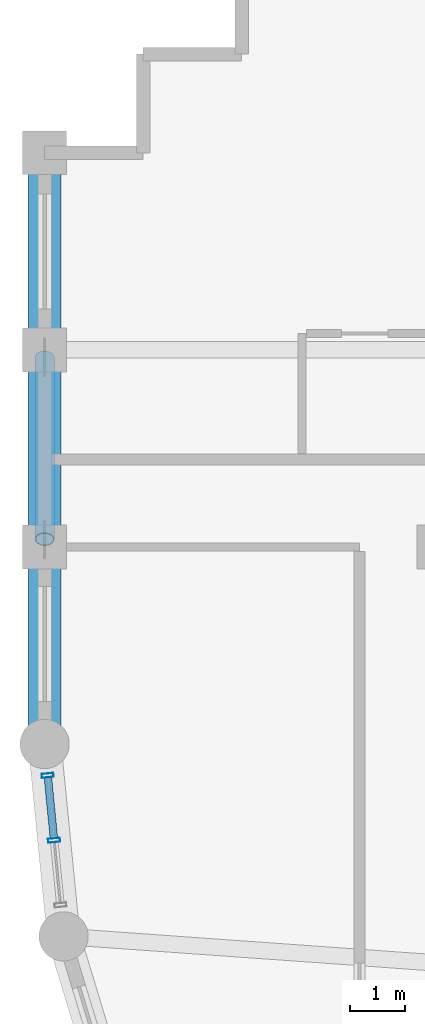
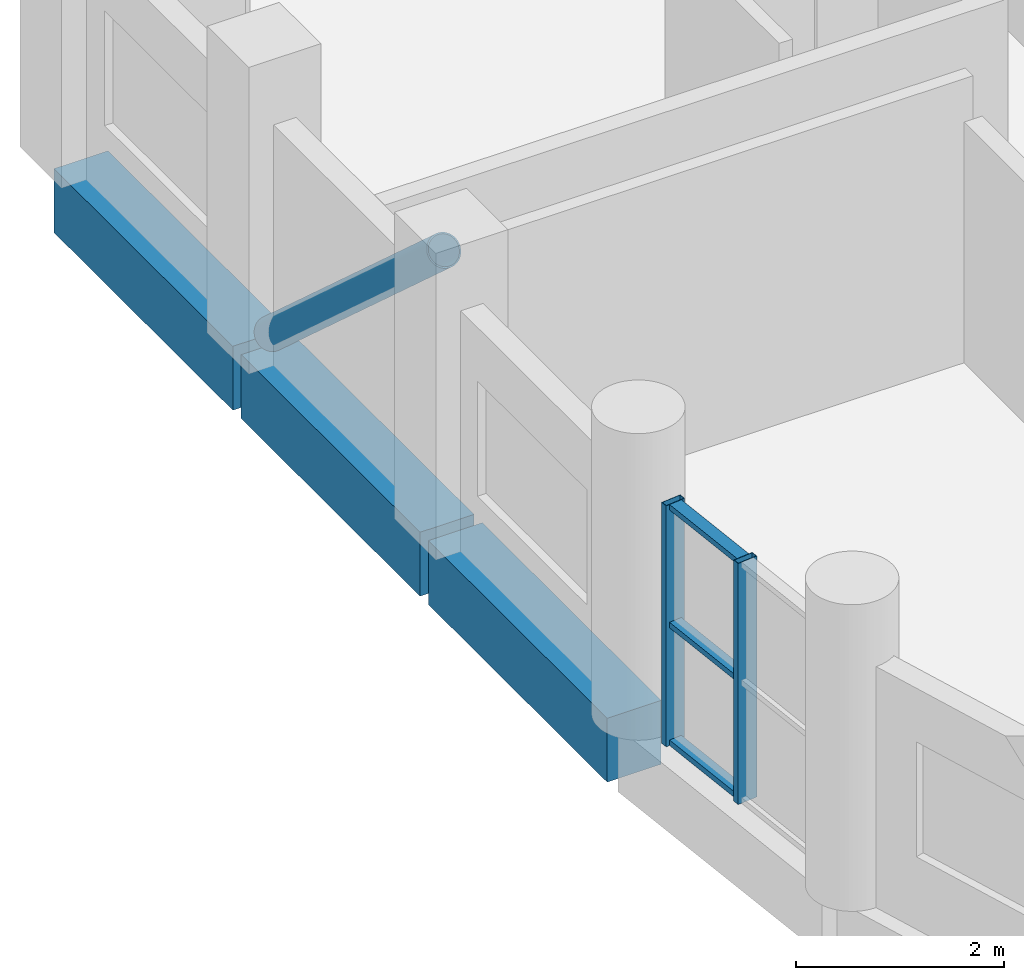
# One storey, part 5 of 11: 6 members, 3 beams, 1 element without a shape of its own.
"""IFC4 building model written with IfcOpenShell, lengths in metres."""

from ifc_helpers import new_model, si_unit, direction, frame, origin, origin_2d, place, context, subcontext, project, spatial, rectangle, hollow_rectangle, hollow_circle, extrude, material, layer, layer_set, material_profile, profile_set, type_object, element, aggregate, save


model = new_model("IFC4")

# Units and contexts
model_context = context("Model", 3, precision=1e-05, world=origin(), true_north=direction((0.0, 1.0)))
body_context = subcontext(model_context, "Body", "Model", "MODEL_VIEW")
ifc_project = project(units=[si_unit("LENGTHUNIT", "METRE"), si_unit("AREAUNIT", "SQUARE_METRE"), si_unit("VOLUMEUNIT", "CUBIC_METRE"), si_unit("PLANEANGLEUNIT", "RADIAN"), si_unit("MASSUNIT", "GRAM", prefix="KILO")], contexts=[model_context])

# Site, building, storey
site_placement = place(None, origin())
site = spatial("IfcSite", under=ifc_project, at=site_placement, CompositionType="ELEMENT")
building_placement = place(site_placement, origin())
building = spatial("IfcBuilding", under=site, at=building_placement, Name="Solnavia Interchange Tower", CompositionType="ELEMENT")
storey_placement = place(building_placement, frame((0.0, 0.0, 284.60009765625)))
storey = spatial("IfcBuildingStorey", under=building, at=storey_placement, Name="L72", CompositionType="ELEMENT", Elevation=284.60009765625)

# Beams
ifc_material_1 = material(Name="Concrete C50/60", Category="concrete")
ifc_material_profile_1 = material_profile(ifc_material_1, rectangle(XDim=0.60009765625, YDim=0.75, at=origin_2d()), Name="RC 600x750")
ifc_profile_set_1 = profile_set([ifc_material_profile_1], Name="Concrete C50/60")
beam_type = type_object("IfcBeamType", Name="Beam-Spandrel-RC600x750", PredefinedType="SPANDREL", material=ifc_profile_set_1)
beam_1_placement = place(storey_placement, frame((7.199951171875, 32.320068359375, -0.375), z_axis=(0.0, -1.0, 0.0), x_axis=(1.0, 0.0, 0.0)))
element("IfcBeam", 1, at=beam_1_placement, inside=storey, type_object=beam_type, Name="SPB-L72-25 Framed-tube perimeter spandrel beam", PredefinedType="SPANDREL", context=body_context, shape_type="SweptSolid", body=[
    extrude(rectangle(XDim=0.60009765625, YDim=0.75, at=origin_2d()), origin(), (0.0, 0.0, 1.0), 3.440185546875),
])
beam_2_placement = place(storey_placement, frame((7.199951171875, 28.719970703125, -0.375), z_axis=(0.0, -1.0, 0.0), x_axis=(1.0, 0.0, 0.0)))
element("IfcBeam", 2, at=beam_2_placement, inside=storey, type_object=beam_type, Name="SPB-L72-26 Framed-tube perimeter spandrel beam", PredefinedType="SPANDREL", context=body_context, shape_type="SweptSolid", body=[
    extrude(rectangle(XDim=0.60009765625, YDim=0.75, at=origin_2d()), origin(), (0.0, 0.0, 1.0), 3.43994140625),
])
beam_3_placement = place(storey_placement, frame((7.199951171875, 25.1201171875, -0.375), z_axis=(0.0, -1.0, 0.0), x_axis=(1.0, 0.0, 0.0)))
element("IfcBeam", 3, at=beam_3_placement, inside=storey, type_object=beam_type, Name="SPB-L72-27 Framed-tube perimeter spandrel beam", PredefinedType="SPANDREL", context=body_context, shape_type="SweptSolid", body=[
    extrude(rectangle(XDim=0.60009765625, YDim=0.75, at=origin_2d()), origin(), (0.0, 0.0, 1.0), 3.440185546875),
])

# Member
ifc_material_2 = material(Name="Steel S460", Category="steel")
ifc_material_profile_2 = material_profile(ifc_material_2, hollow_circle(Radius=0.177734375, WallThickness=0.01611328125, at=origin_2d()), Name="CHS 355.6x16")
ifc_profile_set_2 = profile_set([ifc_material_profile_2], Name="Steel S460")
member_type_1 = type_object("IfcMemberType", Name="Brace-Perim-CHS355", PredefinedType="BRACE", material=ifc_profile_set_2)
member_1_placement = place(storey_placement, frame((7.199951171875, 28.659912109375, 0.179931640625), z_axis=(0.0, -0.743054991638, 0.669230363479), x_axis=(1.0, 0.0, 0.0)))
element("IfcMember", 4, at=member_1_placement, inside=storey, type_object=member_type_1, Name="BRC-L72-02 Perimeter tube diagonal brace", PredefinedType="BRACE", context=body_context, shape_type="SweptSolid", body=[
    extrude(hollow_circle(Radius=0.177734375, WallThickness=0.01611328125, at=origin_2d()), origin(), (0.0, 0.0, 1.0), 4.4677734375),
])

# Curtain wall, members
ifc_material_3 = material(Name="Aluminium Alloy 6063-T6", Category="aluminium")
ifc_layer = layer(ifc_material_3, 0.239990234375)
ifc_layer_set = layer_set([ifc_layer], Name="Aluminium Alloy 6063-T6")
curtain_wall_type = type_object("IfcCurtainWallType", Name="CurtainWall-Drum-CTW2", PredefinedType="NOTDEFINED", material=ifc_layer_set)
curtain_wall_placement = place(storey_placement, origin())
curtain_wall = element("IfcCurtainWall", 5, at=curtain_wall_placement, inside=storey, type_object=curtain_wall_type, Name="CTW-L72-D41 CTW-2 curtain wall", PredefinedType="NOTDEFINED")
ifc_material_profile_3 = material_profile(ifc_material_3, hollow_rectangle(XDim=0.074951171875, YDim=0.219970703125, WallThickness=0.0048828125, at=origin_2d()), Name="ALU 220x75x5")
ifc_profile_set_3 = profile_set([ifc_material_profile_3], Name="Aluminium Alloy 6063-T6")
member_type_2 = type_object("IfcMemberType", Name="CW-Mullion-CWM-2", PredefinedType="MULLION", material=ifc_profile_set_3)
member_2_placement = place(storey_placement, frame((7.25634765625, 21.02783203125, 0.0), z_axis=(0.0, 0.0, 1.0), x_axis=(0.098043088306, -0.995182170678, 0.0)))
member_2 = element("IfcMember", 6, at=member_2_placement, type_object=member_type_2, Name="CTW-2 mullion 1", PredefinedType="MULLION", context=body_context, shape_type="SweptSolid", body=[
    extrude(hollow_rectangle(XDim=0.074951171875, YDim=0.219970703125, WallThickness=0.0048828125, at=origin_2d()), origin(), (0.0, 0.0, 1.0), 2.829833984375),
])
member_3_placement = place(storey_placement, frame((7.373046875, 19.843994140625, 0.0), z_axis=(0.0, 0.0, 1.0), x_axis=(0.098043088306, -0.995182170678, 0.0)))
member_3 = element("IfcMember", 7, at=member_3_placement, type_object=member_type_2, Name="CTW-2 mullion 2", PredefinedType="MULLION", context=body_context, shape_type="SweptSolid", body=[
    extrude(hollow_rectangle(XDim=0.074951171875, YDim=0.219970703125, WallThickness=0.0048828125, at=origin_2d()), origin(), (0.0, 0.0, 1.0), 2.829833984375),
])
ifc_material_profile_4 = material_profile(ifc_material_3, hollow_rectangle(XDim=0.06494140625, YDim=0.139892578125, WallThickness=0.00390625, at=origin_2d()), Name="ALU 140x65x4")
ifc_profile_set_4 = profile_set([ifc_material_profile_4], Name="Aluminium Alloy 6063-T6")
member_type_3 = type_object("IfcMemberType", Name="CW-Transom-CWT-2", PredefinedType="USERDEFINED", material=ifc_profile_set_4)
member_4_placement = place(storey_placement, frame((7.260009765625, 20.990478515625, 0.032470703125), z_axis=(0.098137234257, -0.995172891136, 0.0), x_axis=(0.0, 0.0, 1.0)))
member_4 = element("IfcMember", 8, at=member_4_placement, type_object=member_type_3, Name="CTW-2 transom 1.1", ObjectType="TRANSOM", PredefinedType="USERDEFINED", context=body_context, shape_type="SweptSolid", body=[
    extrude(hollow_rectangle(XDim=0.06494140625, YDim=0.139892578125, WallThickness=0.00390625, at=origin_2d()), origin(), (0.0, 0.0, 1.0), 1.114501953125),
])
member_5_placement = place(storey_placement, frame((7.260009765625, 20.990478515625, 1.414794921875), z_axis=(0.098137234257, -0.995172891136, 0.0), x_axis=(0.0, 0.0, 1.0)))
member_5 = element("IfcMember", 9, at=member_5_placement, type_object=member_type_3, Name="CTW-2 transom 1.2", ObjectType="TRANSOM", PredefinedType="USERDEFINED", context=body_context, shape_type="SweptSolid", body=[
    extrude(hollow_rectangle(XDim=0.06494140625, YDim=0.139892578125, WallThickness=0.00390625, at=origin_2d()), origin(), (0.0, 0.0, 1.0), 1.114501953125),
])
member_6_placement = place(storey_placement, frame((7.260009765625, 20.990478515625, 2.79736328125), z_axis=(0.098137234257, -0.995172891136, 0.0), x_axis=(0.0, 0.0, 1.0)))
member_6 = element("IfcMember", 10, at=member_6_placement, type_object=member_type_3, Name="CTW-2 transom 1.3", ObjectType="TRANSOM", PredefinedType="USERDEFINED", context=body_context, shape_type="SweptSolid", body=[
    extrude(hollow_rectangle(XDim=0.06494140625, YDim=0.139892578125, WallThickness=0.00390625, at=origin_2d()), origin(), (0.0, 0.0, 1.0), 1.114501953125),
])
aggregate(curtain_wall, [member_2, member_3, member_4, member_5, member_6])

save(model, "model.ifc")
